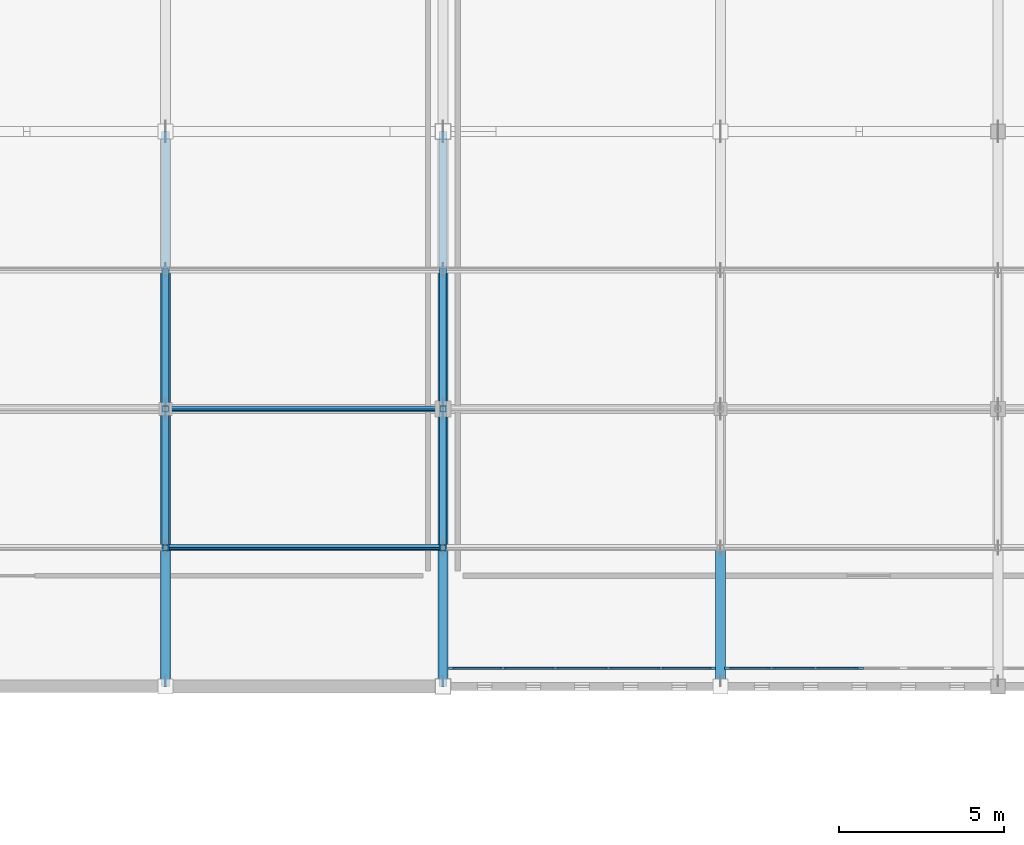
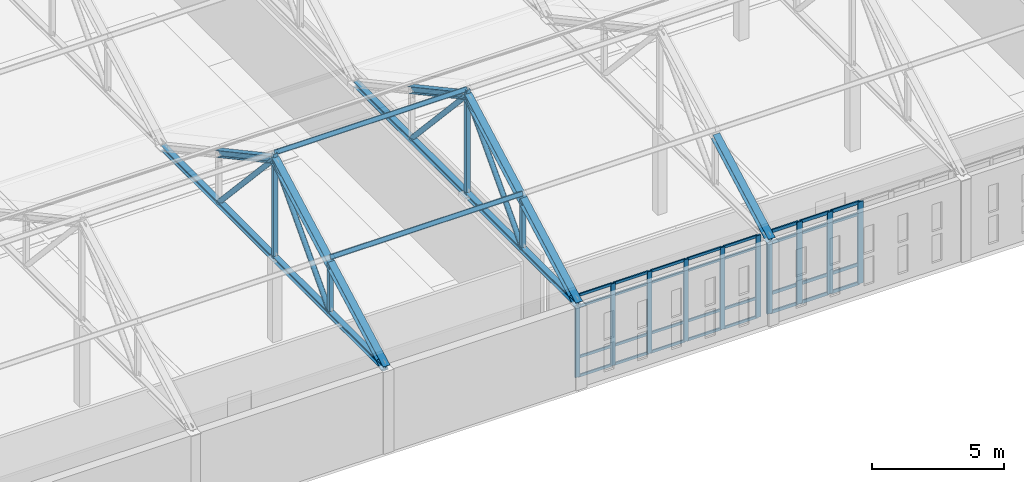
# One storey, part 31 of 110: 61 members, 2 elements without a shape of their own.
"""IFC4 building model written with IfcOpenShell, lengths in metres."""

from ifc_helpers import new_model, si_unit, direction, frame, origin, origin_2d, place, context, subcontext, project, spatial, rectangle, hollow_rectangle, hollow_circle, i_section, extrude, material, layer, layer_set, material_profile, profile_set, type_object, element, aggregate, save


model = new_model("IFC4")

# Units and contexts
model_context = context("Model", 3, precision=1e-05, world=origin(), true_north=direction((0.0, 1.0)))
body_context = subcontext(model_context, "Body", "Model", "MODEL_VIEW")
ifc_project = project(units=[si_unit("LENGTHUNIT", "METRE"), si_unit("AREAUNIT", "SQUARE_METRE"), si_unit("VOLUMEUNIT", "CUBIC_METRE"), si_unit("PLANEANGLEUNIT", "RADIAN"), si_unit("MASSUNIT", "GRAM", prefix="KILO")], contexts=[model_context])

# Site, building, storey
site_placement = place(None, origin())
site = spatial("IfcSite", under=ifc_project, at=site_placement, CompositionType="ELEMENT")
building_placement = place(site_placement, origin())
building = spatial("IfcBuilding", under=site, at=building_placement, Name="Kveldsbrygga Polytechnic", CompositionType="ELEMENT")
storey_placement = place(building_placement, frame((0.0, 0.0, 9.860107421875)))
storey = spatial("IfcBuildingStorey", under=building, at=storey_placement, Name="L02", CompositionType="ELEMENT", Elevation=9.860107421875)

# Curtain wall, members
ifc_material_1 = material(Name="Anodised aluminium AW-6060", Category="aluminium")
ifc_layer_1 = layer(ifc_material_1, 0.18994140625)
ifc_layer_set_1 = layer_set([ifc_layer_1], Name="Anodised aluminium AW-6060")
curtain_wall_type_1 = type_object("IfcCurtainWallType", Name="CW-REFC-G", PredefinedType="USERDEFINED", material=ifc_layer_set_1)
curtain_wall_1_placement = place(storey_placement, origin())
curtain_wall_1 = element("IfcCurtainWall", 1, at=curtain_wall_1_placement, inside=storey, type_object=curtain_wall_type_1, Name="Curtain Wall CW-L02-X-09-10", ObjectType="UNITISED CURTAIN WALL", PredefinedType="USERDEFINED")
ifc_material_profile_1 = material_profile(ifc_material_1, rectangle(XDim=0.074951171875, YDim=0.199951171875, at=origin_2d()), Name="ALU 75x200")
ifc_profile_set_1 = profile_set([ifc_material_profile_1], Name="Anodised aluminium AW-6060")
member_type_1 = type_object("IfcMemberType", Name="CW-MUL-200", PredefinedType="MULLION", material=ifc_profile_set_1)
member_1_placement = place(storey_placement, frame((75.862548828125, 84.550048828125, 0.0), z_axis=(0.0, 0.0, 1.0), x_axis=(0.0, 1.0, 0.0)))
member_1 = element("IfcMember", 2, at=member_1_placement, type_object=member_type_1, Name="CW-07 mullion 1", PredefinedType="MULLION", context=body_context, shape_type="SweptSolid", body=[
    extrude(rectangle(XDim=0.074951171875, YDim=0.199951171875, at=origin_2d()), origin(), (0.0, 0.0, 1.0), 3.77978515625),
])
member_2_placement = place(storey_placement, frame((77.41796875, 84.550048828125, 0.0), z_axis=(0.0, 0.0, 1.0), x_axis=(0.0, 1.0, 0.0)))
member_2 = element("IfcMember", 3, at=member_2_placement, type_object=member_type_1, Name="CW-07 mullion 2", PredefinedType="MULLION", context=body_context, shape_type="SweptSolid", body=[
    extrude(rectangle(XDim=0.074951171875, YDim=0.199951171875, at=origin_2d()), origin(), (0.0, 0.0, 1.0), 3.77978515625),
])
member_3_placement = place(storey_placement, frame((79.010986328125, 84.550048828125, 0.0), z_axis=(0.0, 0.0, 1.0), x_axis=(0.0, 1.0, 0.0)))
member_3 = element("IfcMember", 4, at=member_3_placement, type_object=member_type_1, Name="CW-07 mullion 3", PredefinedType="MULLION", context=body_context, shape_type="SweptSolid", body=[
    extrude(rectangle(XDim=0.074951171875, YDim=0.199951171875, at=origin_2d()), origin(), (0.0, 0.0, 1.0), 3.77978515625),
])
member_4_placement = place(storey_placement, frame((80.60400390625, 84.550048828125, 0.0), z_axis=(0.0, 0.0, 1.0), x_axis=(0.0, 1.0, 0.0)))
member_4 = element("IfcMember", 5, at=member_4_placement, type_object=member_type_1, Name="CW-07 mullion 4", PredefinedType="MULLION", context=body_context, shape_type="SweptSolid", body=[
    extrude(rectangle(XDim=0.074951171875, YDim=0.199951171875, at=origin_2d()), origin(), (0.0, 0.0, 1.0), 3.77978515625),
])
member_5_placement = place(storey_placement, frame((82.197021484375, 84.550048828125, 0.0), z_axis=(0.0, 0.0, 1.0), x_axis=(0.0, 1.0, 0.0)))
member_5 = element("IfcMember", 6, at=member_5_placement, type_object=member_type_1, Name="CW-07 mullion 5", PredefinedType="MULLION", context=body_context, shape_type="SweptSolid", body=[
    extrude(rectangle(XDim=0.074951171875, YDim=0.199951171875, at=origin_2d()), origin(), (0.0, 0.0, 1.0), 3.77978515625),
])
member_6_placement = place(storey_placement, frame((83.75244140625, 84.550048828125, 0.0), z_axis=(0.0, 0.0, 1.0), x_axis=(0.0, 1.0, 0.0)))
member_6 = element("IfcMember", 7, at=member_6_placement, type_object=member_type_1, Name="CW-07 mullion 6", PredefinedType="MULLION", context=body_context, shape_type="SweptSolid", body=[
    extrude(rectangle(XDim=0.074951171875, YDim=0.199951171875, at=origin_2d()), origin(), (0.0, 0.0, 1.0), 3.77978515625),
])

ifc_layer_2 = layer(ifc_material_1, 0.2099609375)
ifc_layer_set_2 = layer_set([ifc_layer_2], Name="Anodised aluminium AW-6060")
curtain_wall_type_2 = type_object("IfcCurtainWallType", Name="CW-LIBR-H", PredefinedType="USERDEFINED", material=ifc_layer_set_2)
curtain_wall_2_placement = place(storey_placement, origin())
curtain_wall_2 = element("IfcCurtainWall", 8, at=curtain_wall_2_placement, inside=storey, type_object=curtain_wall_type_2, Name="Curtain Wall CW-L02-X-10-10", ObjectType="UNITISED CURTAIN WALL", PredefinedType="USERDEFINED")
ifc_material_profile_2 = material_profile(ifc_material_1, rectangle(XDim=0.074951171875, YDim=0.239990234375, at=origin_2d()), Name="ALU 75x240")
ifc_profile_set_2 = profile_set([ifc_material_profile_2], Name="Anodised aluminium AW-6060")
member_type_2 = type_object("IfcMemberType", Name="CW-MUL-240", PredefinedType="MULLION", material=ifc_profile_set_2)
member_7_placement = place(storey_placement, frame((84.24755859375, 84.550048828125, 0.0), z_axis=(0.0, 0.0, 1.0), x_axis=(0.0, 1.0, 0.0)))
member_7 = element("IfcMember", 9, at=member_7_placement, type_object=member_type_2, Name="CW-08 mullion 1", PredefinedType="MULLION", context=body_context, shape_type="SweptSolid", body=[
    extrude(rectangle(XDim=0.074951171875, YDim=0.239990234375, at=origin_2d()), origin(), (0.0, 0.0, 1.0), 3.77978515625),
])
member_8_placement = place(storey_placement, frame((85.54248046875, 84.550048828125, 0.0), z_axis=(0.0, 0.0, 1.0), x_axis=(0.0, 1.0, 0.0)))
member_8 = element("IfcMember", 10, at=member_8_placement, type_object=member_type_2, Name="CW-08 mullion 2", PredefinedType="MULLION", context=body_context, shape_type="SweptSolid", body=[
    extrude(rectangle(XDim=0.074951171875, YDim=0.239990234375, at=origin_2d()), origin(), (0.0, 0.0, 1.0), 3.77978515625),
])
member_9_placement = place(storey_placement, frame((86.875, 84.550048828125, 0.0), z_axis=(0.0, 0.0, 1.0), x_axis=(0.0, 1.0, 0.0)))
member_9 = element("IfcMember", 11, at=member_9_placement, type_object=member_type_2, Name="CW-08 mullion 3", PredefinedType="MULLION", context=body_context, shape_type="SweptSolid", body=[
    extrude(rectangle(XDim=0.074951171875, YDim=0.239990234375, at=origin_2d()), origin(), (0.0, 0.0, 1.0), 3.77978515625),
])
member_10_placement = place(storey_placement, frame((88.20751953125, 84.550048828125, 0.0), z_axis=(0.0, 0.0, 1.0), x_axis=(0.0, 1.0, 0.0)))
member_10 = element("IfcMember", 12, at=member_10_placement, type_object=member_type_2, Name="CW-08 mullion 4", PredefinedType="MULLION", context=body_context, shape_type="SweptSolid", body=[
    extrude(rectangle(XDim=0.074951171875, YDim=0.239990234375, at=origin_2d()), origin(), (0.0, 0.0, 1.0), 3.77978515625),
])

# Member
ifc_material_profile_3 = material_profile(ifc_material_1, rectangle(XDim=0.06005859375, YDim=0.1201171875, at=origin_2d()), Name="ALU 60x120")
ifc_profile_set_3 = profile_set([ifc_material_profile_3], Name="Anodised aluminium AW-6060")
member_type_3 = type_object("IfcMemberType", Name="CW-TRN-120", PredefinedType="USERDEFINED", material=ifc_profile_set_3)
member_11_placement = place(storey_placement, frame((75.89990234375, 84.550048828125, 0.02978515625), z_axis=(1.0, 0.0, 0.0), x_axis=(0.0, 1.0, 0.0)))
member_11 = element("IfcMember", 13, at=member_11_placement, type_object=member_type_3, Name="CW-07 transom 1.1", ObjectType="TRANSOM", PredefinedType="USERDEFINED", context=body_context, shape_type="SweptSolid", body=[
    extrude(rectangle(XDim=0.06005859375, YDim=0.1201171875, at=origin_2d()), origin(), (0.0, 0.0, 1.0), 1.480712890625),
])

member_12_placement = place(storey_placement, frame((75.89990234375, 84.550048828125, 0.89990234375), z_axis=(1.0, 0.0, 0.0), x_axis=(0.0, 1.0, 0.0)))
member_12 = element("IfcMember", 14, at=member_12_placement, type_object=member_type_3, Name="CW-07 transom 1.2", ObjectType="TRANSOM", PredefinedType="USERDEFINED", context=body_context, shape_type="SweptSolid", body=[
    extrude(rectangle(XDim=0.06005859375, YDim=0.1201171875, at=origin_2d()), origin(), (0.0, 0.0, 1.0), 1.480712890625),
])

member_13_placement = place(storey_placement, frame((75.89990234375, 84.550048828125, 3.22998046875), z_axis=(1.0, 0.0, 0.0), x_axis=(0.0, 1.0, 0.0)))
member_13 = element("IfcMember", 15, at=member_13_placement, type_object=member_type_3, Name="CW-07 transom 1.3", ObjectType="TRANSOM", PredefinedType="USERDEFINED", context=body_context, shape_type="SweptSolid", body=[
    extrude(rectangle(XDim=0.06005859375, YDim=0.1201171875, at=origin_2d()), origin(), (0.0, 0.0, 1.0), 1.480712890625),
])

member_14_placement = place(storey_placement, frame((75.89990234375, 84.550048828125, 3.75), z_axis=(1.0, 0.0, 0.0), x_axis=(0.0, 1.0, 0.0)))
member_14 = element("IfcMember", 16, at=member_14_placement, type_object=member_type_3, Name="CW-07 transom 1.4", ObjectType="TRANSOM", PredefinedType="USERDEFINED", context=body_context, shape_type="SweptSolid", body=[
    extrude(rectangle(XDim=0.06005859375, YDim=0.1201171875, at=origin_2d()), origin(), (0.0, 0.0, 1.0), 1.480712890625),
])

member_15_placement = place(storey_placement, frame((77.45556640625, 84.550048828125, 0.02978515625), z_axis=(1.0, 0.0, 0.0), x_axis=(0.0, 1.0, 0.0)))
member_15 = element("IfcMember", 17, at=member_15_placement, type_object=member_type_3, Name="CW-07 transom 2.1", ObjectType="TRANSOM", PredefinedType="USERDEFINED", context=body_context, shape_type="SweptSolid", body=[
    extrude(rectangle(XDim=0.06005859375, YDim=0.1201171875, at=origin_2d()), origin(), (0.0, 0.0, 1.0), 1.517822265625),
])

member_16_placement = place(storey_placement, frame((77.45556640625, 84.550048828125, 0.89990234375), z_axis=(1.0, 0.0, 0.0), x_axis=(0.0, 1.0, 0.0)))
member_16 = element("IfcMember", 18, at=member_16_placement, type_object=member_type_3, Name="CW-07 transom 2.2", ObjectType="TRANSOM", PredefinedType="USERDEFINED", context=body_context, shape_type="SweptSolid", body=[
    extrude(rectangle(XDim=0.06005859375, YDim=0.1201171875, at=origin_2d()), origin(), (0.0, 0.0, 1.0), 1.517822265625),
])

member_17_placement = place(storey_placement, frame((77.45556640625, 84.550048828125, 3.22998046875), z_axis=(1.0, 0.0, 0.0), x_axis=(0.0, 1.0, 0.0)))
member_17 = element("IfcMember", 19, at=member_17_placement, type_object=member_type_3, Name="CW-07 transom 2.3", ObjectType="TRANSOM", PredefinedType="USERDEFINED", context=body_context, shape_type="SweptSolid", body=[
    extrude(rectangle(XDim=0.06005859375, YDim=0.1201171875, at=origin_2d()), origin(), (0.0, 0.0, 1.0), 1.517822265625),
])

member_18_placement = place(storey_placement, frame((77.45556640625, 84.550048828125, 3.75), z_axis=(1.0, 0.0, 0.0), x_axis=(0.0, 1.0, 0.0)))
member_18 = element("IfcMember", 20, at=member_18_placement, type_object=member_type_3, Name="CW-07 transom 2.4", ObjectType="TRANSOM", PredefinedType="USERDEFINED", context=body_context, shape_type="SweptSolid", body=[
    extrude(rectangle(XDim=0.06005859375, YDim=0.1201171875, at=origin_2d()), origin(), (0.0, 0.0, 1.0), 1.517822265625),
])

member_19_placement = place(storey_placement, frame((79.048583984375, 84.550048828125, 0.02978515625), z_axis=(1.0, 0.0, 0.0), x_axis=(0.0, 1.0, 0.0)))
member_19 = element("IfcMember", 21, at=member_19_placement, type_object=member_type_3, Name="CW-07 transom 3.1", ObjectType="TRANSOM", PredefinedType="USERDEFINED", context=body_context, shape_type="SweptSolid", body=[
    extrude(rectangle(XDim=0.06005859375, YDim=0.1201171875, at=origin_2d()), origin(), (0.0, 0.0, 1.0), 1.517822265625),
])

member_20_placement = place(storey_placement, frame((79.048583984375, 84.550048828125, 0.89990234375), z_axis=(1.0, 0.0, 0.0), x_axis=(0.0, 1.0, 0.0)))
member_20 = element("IfcMember", 22, at=member_20_placement, type_object=member_type_3, Name="CW-07 transom 3.2", ObjectType="TRANSOM", PredefinedType="USERDEFINED", context=body_context, shape_type="SweptSolid", body=[
    extrude(rectangle(XDim=0.06005859375, YDim=0.1201171875, at=origin_2d()), origin(), (0.0, 0.0, 1.0), 1.517822265625),
])

member_21_placement = place(storey_placement, frame((79.048583984375, 84.550048828125, 3.22998046875), z_axis=(1.0, 0.0, 0.0), x_axis=(0.0, 1.0, 0.0)))
member_21 = element("IfcMember", 23, at=member_21_placement, type_object=member_type_3, Name="CW-07 transom 3.3", ObjectType="TRANSOM", PredefinedType="USERDEFINED", context=body_context, shape_type="SweptSolid", body=[
    extrude(rectangle(XDim=0.06005859375, YDim=0.1201171875, at=origin_2d()), origin(), (0.0, 0.0, 1.0), 1.517822265625),
])

member_22_placement = place(storey_placement, frame((79.048583984375, 84.550048828125, 3.75), z_axis=(1.0, 0.0, 0.0), x_axis=(0.0, 1.0, 0.0)))
member_22 = element("IfcMember", 24, at=member_22_placement, type_object=member_type_3, Name="CW-07 transom 3.4", ObjectType="TRANSOM", PredefinedType="USERDEFINED", context=body_context, shape_type="SweptSolid", body=[
    extrude(rectangle(XDim=0.06005859375, YDim=0.1201171875, at=origin_2d()), origin(), (0.0, 0.0, 1.0), 1.517822265625),
])

member_23_placement = place(storey_placement, frame((80.6416015625, 84.550048828125, 0.02978515625), z_axis=(1.0, 0.0, 0.0), x_axis=(0.0, 1.0, 0.0)))
member_23 = element("IfcMember", 25, at=member_23_placement, type_object=member_type_3, Name="CW-07 transom 4.1", ObjectType="TRANSOM", PredefinedType="USERDEFINED", context=body_context, shape_type="SweptSolid", body=[
    extrude(rectangle(XDim=0.06005859375, YDim=0.1201171875, at=origin_2d()), origin(), (0.0, 0.0, 1.0), 1.517822265625),
])

member_24_placement = place(storey_placement, frame((80.6416015625, 84.550048828125, 0.89990234375), z_axis=(1.0, 0.0, 0.0), x_axis=(0.0, 1.0, 0.0)))
member_24 = element("IfcMember", 26, at=member_24_placement, type_object=member_type_3, Name="CW-07 transom 4.2", ObjectType="TRANSOM", PredefinedType="USERDEFINED", context=body_context, shape_type="SweptSolid", body=[
    extrude(rectangle(XDim=0.06005859375, YDim=0.1201171875, at=origin_2d()), origin(), (0.0, 0.0, 1.0), 1.517822265625),
])

member_25_placement = place(storey_placement, frame((80.6416015625, 84.550048828125, 3.22998046875), z_axis=(1.0, 0.0, 0.0), x_axis=(0.0, 1.0, 0.0)))
member_25 = element("IfcMember", 27, at=member_25_placement, type_object=member_type_3, Name="CW-07 transom 4.3", ObjectType="TRANSOM", PredefinedType="USERDEFINED", context=body_context, shape_type="SweptSolid", body=[
    extrude(rectangle(XDim=0.06005859375, YDim=0.1201171875, at=origin_2d()), origin(), (0.0, 0.0, 1.0), 1.517822265625),
])

member_26_placement = place(storey_placement, frame((80.6416015625, 84.550048828125, 3.75), z_axis=(1.0, 0.0, 0.0), x_axis=(0.0, 1.0, 0.0)))
member_26 = element("IfcMember", 28, at=member_26_placement, type_object=member_type_3, Name="CW-07 transom 4.4", ObjectType="TRANSOM", PredefinedType="USERDEFINED", context=body_context, shape_type="SweptSolid", body=[
    extrude(rectangle(XDim=0.06005859375, YDim=0.1201171875, at=origin_2d()), origin(), (0.0, 0.0, 1.0), 1.517822265625),
])

member_27_placement = place(storey_placement, frame((82.234619140625, 84.550048828125, 0.02978515625), z_axis=(1.0, 0.0, 0.0), x_axis=(0.0, 1.0, 0.0)))
member_27 = element("IfcMember", 29, at=member_27_placement, type_object=member_type_3, Name="CW-07 transom 5.1", ObjectType="TRANSOM", PredefinedType="USERDEFINED", context=body_context, shape_type="SweptSolid", body=[
    extrude(rectangle(XDim=0.06005859375, YDim=0.1201171875, at=origin_2d()), origin(), (0.0, 0.0, 1.0), 1.48046875),
])

member_28_placement = place(storey_placement, frame((82.234619140625, 84.550048828125, 0.89990234375), z_axis=(1.0, 0.0, 0.0), x_axis=(0.0, 1.0, 0.0)))
member_28 = element("IfcMember", 30, at=member_28_placement, type_object=member_type_3, Name="CW-07 transom 5.2", ObjectType="TRANSOM", PredefinedType="USERDEFINED", context=body_context, shape_type="SweptSolid", body=[
    extrude(rectangle(XDim=0.06005859375, YDim=0.1201171875, at=origin_2d()), origin(), (0.0, 0.0, 1.0), 1.48046875),
])

member_29_placement = place(storey_placement, frame((82.234619140625, 84.550048828125, 3.22998046875), z_axis=(1.0, 0.0, 0.0), x_axis=(0.0, 1.0, 0.0)))
member_29 = element("IfcMember", 31, at=member_29_placement, type_object=member_type_3, Name="CW-07 transom 5.3", ObjectType="TRANSOM", PredefinedType="USERDEFINED", context=body_context, shape_type="SweptSolid", body=[
    extrude(rectangle(XDim=0.06005859375, YDim=0.1201171875, at=origin_2d()), origin(), (0.0, 0.0, 1.0), 1.48046875),
])

member_30_placement = place(storey_placement, frame((82.234619140625, 84.550048828125, 3.75), z_axis=(1.0, 0.0, 0.0), x_axis=(0.0, 1.0, 0.0)))
member_30 = element("IfcMember", 32, at=member_30_placement, type_object=member_type_3, Name="CW-07 transom 5.4", ObjectType="TRANSOM", PredefinedType="USERDEFINED", context=body_context, shape_type="SweptSolid", body=[
    extrude(rectangle(XDim=0.06005859375, YDim=0.1201171875, at=origin_2d()), origin(), (0.0, 0.0, 1.0), 1.48046875),
])

aggregate(curtain_wall_1, [member_1, member_2, member_3, member_4, member_5, member_6, member_11, member_12, member_13, member_14, member_15, member_16, member_17, member_18, member_19, member_20, member_21, member_22, member_23, member_24, member_25, member_26, member_27, member_28, member_29, member_30])

ifc_material_profile_4 = material_profile(ifc_material_1, rectangle(XDim=0.06005859375, YDim=0.14990234375, at=origin_2d()), Name="ALU 60x150")
ifc_profile_set_4 = profile_set([ifc_material_profile_4], Name="Anodised aluminium AW-6060")
member_type_4 = type_object("IfcMemberType", Name="CW-TRN-150", PredefinedType="USERDEFINED", material=ifc_profile_set_4)
member_31_placement = place(storey_placement, frame((84.284912109375, 84.550048828125, 0.02978515625), z_axis=(1.0, 0.0, 0.0), x_axis=(0.0, 1.0, 0.0)))
member_31 = element("IfcMember", 33, at=member_31_placement, type_object=member_type_4, Name="CW-08 transom 1.1", ObjectType="TRANSOM", PredefinedType="USERDEFINED", context=body_context, shape_type="SweptSolid", body=[
    extrude(rectangle(XDim=0.06005859375, YDim=0.14990234375, at=origin_2d()), origin(), (0.0, 0.0, 1.0), 1.219970703125),
])

member_32_placement = place(storey_placement, frame((84.284912109375, 84.550048828125, 0.89990234375), z_axis=(1.0, 0.0, 0.0), x_axis=(0.0, 1.0, 0.0)))
member_32 = element("IfcMember", 34, at=member_32_placement, type_object=member_type_4, Name="CW-08 transom 1.2", ObjectType="TRANSOM", PredefinedType="USERDEFINED", context=body_context, shape_type="SweptSolid", body=[
    extrude(rectangle(XDim=0.06005859375, YDim=0.14990234375, at=origin_2d()), origin(), (0.0, 0.0, 1.0), 1.219970703125),
])

member_33_placement = place(storey_placement, frame((84.284912109375, 84.550048828125, 3.22998046875), z_axis=(1.0, 0.0, 0.0), x_axis=(0.0, 1.0, 0.0)))
member_33 = element("IfcMember", 35, at=member_33_placement, type_object=member_type_4, Name="CW-08 transom 1.3", ObjectType="TRANSOM", PredefinedType="USERDEFINED", context=body_context, shape_type="SweptSolid", body=[
    extrude(rectangle(XDim=0.06005859375, YDim=0.14990234375, at=origin_2d()), origin(), (0.0, 0.0, 1.0), 1.219970703125),
])

member_34_placement = place(storey_placement, frame((84.284912109375, 84.550048828125, 3.75), z_axis=(1.0, 0.0, 0.0), x_axis=(0.0, 1.0, 0.0)))
member_34 = element("IfcMember", 36, at=member_34_placement, type_object=member_type_4, Name="CW-08 transom 1.4", ObjectType="TRANSOM", PredefinedType="USERDEFINED", context=body_context, shape_type="SweptSolid", body=[
    extrude(rectangle(XDim=0.06005859375, YDim=0.14990234375, at=origin_2d()), origin(), (0.0, 0.0, 1.0), 1.219970703125),
])

member_35_placement = place(storey_placement, frame((85.580078125, 84.550048828125, 0.02978515625), z_axis=(1.0, 0.0, 0.0), x_axis=(0.0, 1.0, 0.0)))
member_35 = element("IfcMember", 37, at=member_35_placement, type_object=member_type_4, Name="CW-08 transom 2.1", ObjectType="TRANSOM", PredefinedType="USERDEFINED", context=body_context, shape_type="SweptSolid", body=[
    extrude(rectangle(XDim=0.06005859375, YDim=0.14990234375, at=origin_2d()), origin(), (0.0, 0.0, 1.0), 1.25732421875),
])

member_36_placement = place(storey_placement, frame((85.580078125, 84.550048828125, 0.89990234375), z_axis=(1.0, 0.0, 0.0), x_axis=(0.0, 1.0, 0.0)))
member_36 = element("IfcMember", 38, at=member_36_placement, type_object=member_type_4, Name="CW-08 transom 2.2", ObjectType="TRANSOM", PredefinedType="USERDEFINED", context=body_context, shape_type="SweptSolid", body=[
    extrude(rectangle(XDim=0.06005859375, YDim=0.14990234375, at=origin_2d()), origin(), (0.0, 0.0, 1.0), 1.25732421875),
])

member_37_placement = place(storey_placement, frame((85.580078125, 84.550048828125, 3.22998046875), z_axis=(1.0, 0.0, 0.0), x_axis=(0.0, 1.0, 0.0)))
member_37 = element("IfcMember", 39, at=member_37_placement, type_object=member_type_4, Name="CW-08 transom 2.3", ObjectType="TRANSOM", PredefinedType="USERDEFINED", context=body_context, shape_type="SweptSolid", body=[
    extrude(rectangle(XDim=0.06005859375, YDim=0.14990234375, at=origin_2d()), origin(), (0.0, 0.0, 1.0), 1.25732421875),
])

member_38_placement = place(storey_placement, frame((85.580078125, 84.550048828125, 3.75), z_axis=(1.0, 0.0, 0.0), x_axis=(0.0, 1.0, 0.0)))
member_38 = element("IfcMember", 40, at=member_38_placement, type_object=member_type_4, Name="CW-08 transom 2.4", ObjectType="TRANSOM", PredefinedType="USERDEFINED", context=body_context, shape_type="SweptSolid", body=[
    extrude(rectangle(XDim=0.06005859375, YDim=0.14990234375, at=origin_2d()), origin(), (0.0, 0.0, 1.0), 1.25732421875),
])

member_39_placement = place(storey_placement, frame((86.91259765625, 84.550048828125, 0.02978515625), z_axis=(1.0, 0.0, 0.0), x_axis=(0.0, 1.0, 0.0)))
member_39 = element("IfcMember", 41, at=member_39_placement, type_object=member_type_4, Name="CW-08 transom 3.1", ObjectType="TRANSOM", PredefinedType="USERDEFINED", context=body_context, shape_type="SweptSolid", body=[
    extrude(rectangle(XDim=0.06005859375, YDim=0.14990234375, at=origin_2d()), origin(), (0.0, 0.0, 1.0), 1.25732421875),
])

member_40_placement = place(storey_placement, frame((86.91259765625, 84.550048828125, 0.89990234375), z_axis=(1.0, 0.0, 0.0), x_axis=(0.0, 1.0, 0.0)))
member_40 = element("IfcMember", 42, at=member_40_placement, type_object=member_type_4, Name="CW-08 transom 3.2", ObjectType="TRANSOM", PredefinedType="USERDEFINED", context=body_context, shape_type="SweptSolid", body=[
    extrude(rectangle(XDim=0.06005859375, YDim=0.14990234375, at=origin_2d()), origin(), (0.0, 0.0, 1.0), 1.25732421875),
])

member_41_placement = place(storey_placement, frame((86.91259765625, 84.550048828125, 3.22998046875), z_axis=(1.0, 0.0, 0.0), x_axis=(0.0, 1.0, 0.0)))
member_41 = element("IfcMember", 43, at=member_41_placement, type_object=member_type_4, Name="CW-08 transom 3.3", ObjectType="TRANSOM", PredefinedType="USERDEFINED", context=body_context, shape_type="SweptSolid", body=[
    extrude(rectangle(XDim=0.06005859375, YDim=0.14990234375, at=origin_2d()), origin(), (0.0, 0.0, 1.0), 1.25732421875),
])

member_42_placement = place(storey_placement, frame((86.91259765625, 84.550048828125, 3.75), z_axis=(1.0, 0.0, 0.0), x_axis=(0.0, 1.0, 0.0)))
member_42 = element("IfcMember", 44, at=member_42_placement, type_object=member_type_4, Name="CW-08 transom 3.4", ObjectType="TRANSOM", PredefinedType="USERDEFINED", context=body_context, shape_type="SweptSolid", body=[
    extrude(rectangle(XDim=0.06005859375, YDim=0.14990234375, at=origin_2d()), origin(), (0.0, 0.0, 1.0), 1.25732421875),
])

aggregate(curtain_wall_2, [member_7, member_8, member_9, member_10, member_31, member_32, member_33, member_34, member_35, member_36, member_37, member_38, member_39, member_40, member_41, member_42])

# Members
ifc_material_2 = material(Name="Steel S355", Category="steel")
ifc_material_profile_5 = material_profile(ifc_material_2, i_section(OverallWidth=0.10009765625, OverallDepth=0.199951171875, WebThickness=0.005615234375, FlangeThickness=0.008544921875, FilletRadius=0.011962890625, at=origin_2d()), Name="IPE 200")
ifc_profile_set_5 = profile_set([ifc_material_profile_5], Name="Steel S355")
member_type_5 = type_object("IfcMemberType", Name="PRL-IPE200", PredefinedType="PURLIN", material=ifc_profile_set_5)
for number, where, z_axis, x_axis, name in (
    (45, (67.199951171875, 88.199951171875, 6.33349609375), (1.0, 0.0, 0.0), (0.0, 0.879292204483, -0.476282709256), "Roof Purlin V2L1-PRL-4-1"),
    (46, (67.199951171875, 92.39990234375, 8.608642578125), (1.0, 0.0, 0.0), (0.0, 0.879292204483, -0.476282709256), "Roof Purlin V2L1-PRL-4-2"),
):
    element("IfcMember", number, at=place(storey_placement, frame(where, z_axis=z_axis, x_axis=x_axis)), inside=storey, type_object=member_type_5, Name=name, PredefinedType="PURLIN", context=body_context, shape_type="SweptSolid", body=[
        extrude(i_section(OverallWidth=0.10009765625, OverallDepth=0.199951171875, WebThickness=0.005615234375, FlangeThickness=0.008544921875, FilletRadius=0.011962890625, at=origin_2d()), origin(), (0.0, 0.0, 1.0), 8.400146484375),
    ])
ifc_material_profile_6 = material_profile(ifc_material_2, i_section(OverallWidth=0.239990234375, OverallDepth=0.22998046875, WebThickness=0.007568359375, FlangeThickness=0.011962890625, FilletRadius=0.02099609375, at=origin_2d()), Name="HEA 240")
ifc_profile_set_6 = profile_set([ifc_material_profile_6], Name="Steel S355")
member_type_6 = type_object("IfcMemberType", Name="TR-BOT-HEA240", PredefinedType="CHORD", material=ifc_profile_set_6)
for number, where, z_axis, x_axis, name in (
    (47, (67.199951171875, 84.0, 3.77978515625), (0.0, 1.0, 0.0), (-1.0, 0.0, 0.0), "Truss Bottom Chord V2L1-T04-BC-1"),
    (48, (75.60009765625, 84.0, 3.77978515625), (0.0, 1.0, 0.0), (-1.0, 0.0, 0.0), "Truss Bottom Chord V2L1-T05-BC-1"),
):
    element("IfcMember", number, at=place(storey_placement, frame(where, z_axis=z_axis, x_axis=x_axis)), inside=storey, type_object=member_type_6, Name=name, PredefinedType="CHORD", context=body_context, shape_type="SweptSolid", body=[
        extrude(i_section(OverallWidth=0.239990234375, OverallDepth=0.22998046875, WebThickness=0.007568359375, FlangeThickness=0.011962890625, FilletRadius=0.02099609375, at=origin_2d()), origin(), (0.0, 0.0, 1.0), 16.800048828125),
    ])
ifc_material_profile_7 = material_profile(ifc_material_2, hollow_circle(Radius=0.109619140625, WallThickness=0.012451171875, at=origin_2d()), Name="CHS 219.1x12.5")
ifc_profile_set_7 = profile_set([ifc_material_profile_7], Name="Steel S355")
member_type_7 = type_object("IfcMemberType", Name="TR-DIAG-CHS219", PredefinedType="BRACE", material=ifc_profile_set_7)
member_43_placement = place(storey_placement, frame((67.199951171875, 88.199951171875, 3.77978515625), z_axis=(0.0, 0.678271914864, 0.734811002576), x_axis=(-1.0, 0.0, 0.0)))
element("IfcMember", 49, at=member_43_placement, inside=storey, type_object=member_type_7, Name="Truss Diagonal V2L1-T04-DG-2", PredefinedType="BRACE", context=body_context, shape_type="SweptSolid", body=[
    extrude(hollow_circle(Radius=0.109619140625, WallThickness=0.012451171875, at=origin_2d()), origin(), (0.0, 0.0, 1.0), 6.192138671875),
])
member_44_placement = place(storey_placement, frame((67.199951171875, 92.39990234375, 8.329833984375), z_axis=(0.0, 0.678293202798, -0.734791352043), x_axis=(-1.0, 0.0, 0.0)))
element("IfcMember", 50, at=member_44_placement, inside=storey, type_object=member_type_7, Name="Truss Diagonal V2L1-T04-DG-3", PredefinedType="BRACE", context=body_context, shape_type="SweptSolid", body=[
    extrude(hollow_circle(Radius=0.109619140625, WallThickness=0.012451171875, at=origin_2d()), origin(), (0.0, 0.0, 1.0), 6.1923828125),
])
member_45_placement = place(storey_placement, frame((75.60009765625, 88.199951171875, 3.77978515625), z_axis=(0.0, 0.678271914864, 0.734811002576), x_axis=(-1.0, 0.0, 0.0)))
element("IfcMember", 51, at=member_45_placement, inside=storey, type_object=member_type_7, Name="Truss Diagonal V2L1-T05-DG-2", PredefinedType="BRACE", context=body_context, shape_type="SweptSolid", body=[
    extrude(hollow_circle(Radius=0.109619140625, WallThickness=0.012451171875, at=origin_2d()), origin(), (0.0, 0.0, 1.0), 6.192138671875),
])
member_46_placement = place(storey_placement, frame((75.60009765625, 92.39990234375, 8.329833984375), z_axis=(0.0, 0.678293202798, -0.734791352043), x_axis=(-1.0, 0.0, 0.0)))
element("IfcMember", 52, at=member_46_placement, inside=storey, type_object=member_type_7, Name="Truss Diagonal V2L1-T05-DG-3", PredefinedType="BRACE", context=body_context, shape_type="SweptSolid", body=[
    extrude(hollow_circle(Radius=0.109619140625, WallThickness=0.012451171875, at=origin_2d()), origin(), (0.0, 0.0, 1.0), 6.1923828125),
])
ifc_material_profile_8 = material_profile(ifc_material_2, hollow_rectangle(XDim=0.179931640625, YDim=0.179931640625, WallThickness=0.010009765625, at=origin_2d()), Name="SHS 180x180x10.0")
ifc_profile_set_8 = profile_set([ifc_material_profile_8], Name="Steel S355")
member_type_8 = type_object("IfcMemberType", Name="TR-POST-SHS180", PredefinedType="STRUT", material=ifc_profile_set_8)
member_47_placement = place(storey_placement, frame((67.199951171875, 88.199951171875, 3.77978515625), z_axis=(0.0, 0.0, 1.0), x_axis=(1.0, 0.0, 0.0)))
element("IfcMember", 53, at=member_47_placement, inside=storey, type_object=member_type_8, Name="Truss Vertical V2L1-T04-VT-1", PredefinedType="STRUT", context=body_context, shape_type="SweptSolid", body=[
    extrude(hollow_rectangle(XDim=0.179931640625, YDim=0.179931640625, WallThickness=0.010009765625, at=origin_2d()), origin(), (0.0, 0.0, 1.0), 2.275146484375),
])
member_48_placement = place(storey_placement, frame((67.199951171875, 92.39990234375, 3.77978515625), z_axis=(0.0, 0.0, 1.0), x_axis=(1.0, 0.0, 0.0)))
element("IfcMember", 54, at=member_48_placement, inside=storey, type_object=member_type_8, Name="Truss Vertical V2L1-T04-VT-2", PredefinedType="STRUT", context=body_context, shape_type="SweptSolid", body=[
    extrude(hollow_rectangle(XDim=0.179931640625, YDim=0.179931640625, WallThickness=0.010009765625, at=origin_2d()), origin(), (0.0, 0.0, 1.0), 4.828857421875),
])
member_49_placement = place(storey_placement, frame((75.60009765625, 88.199951171875, 3.77978515625), z_axis=(0.0, 0.0, 1.0), x_axis=(1.0, 0.0, 0.0)))
element("IfcMember", 55, at=member_49_placement, inside=storey, type_object=member_type_8, Name="Truss Vertical V2L1-T05-VT-1", PredefinedType="STRUT", context=body_context, shape_type="SweptSolid", body=[
    extrude(hollow_rectangle(XDim=0.179931640625, YDim=0.179931640625, WallThickness=0.010009765625, at=origin_2d()), origin(), (0.0, 0.0, 1.0), 2.275146484375),
])
member_50_placement = place(storey_placement, frame((75.60009765625, 92.39990234375, 3.77978515625), z_axis=(0.0, 0.0, 1.0), x_axis=(1.0, 0.0, 0.0)))
element("IfcMember", 56, at=member_50_placement, inside=storey, type_object=member_type_8, Name="Truss Vertical V2L1-T05-VT-2", PredefinedType="STRUT", context=body_context, shape_type="SweptSolid", body=[
    extrude(hollow_rectangle(XDim=0.179931640625, YDim=0.179931640625, WallThickness=0.010009765625, at=origin_2d()), origin(), (0.0, 0.0, 1.0), 4.828857421875),
])
ifc_material_profile_9 = material_profile(ifc_material_2, i_section(OverallWidth=0.300048828125, OverallDepth=0.2900390625, WebThickness=0.008544921875, FlangeThickness=0.013916015625, FilletRadius=0.027099609375, at=origin_2d()), Name="HEA 300")
ifc_profile_set_9 = profile_set([ifc_material_profile_9], Name="Steel S355")
member_type_9 = type_object("IfcMemberType", Name="TR-TOP-HEA300", PredefinedType="CHORD", material=ifc_profile_set_9)
member_51_placement = place(storey_placement, frame((67.199951171875, 84.0, 3.77978515625), z_axis=(0.0, 0.879276804059, 0.476311139744), x_axis=(-1.0, 0.0, 0.0)))
element("IfcMember", 57, at=member_51_placement, inside=storey, type_object=member_type_9, Name="Truss Top Chord V2L1-T04-TC-1", PredefinedType="CHORD", context=body_context, shape_type="SweptSolid", body=[
    extrude(i_section(OverallWidth=0.300048828125, OverallDepth=0.2900390625, WebThickness=0.008544921875, FlangeThickness=0.013916015625, FilletRadius=0.027099609375, at=origin_2d()), origin(), (0.0, 0.0, 1.0), 4.776611328125),
])
member_52_placement = place(storey_placement, frame((67.199951171875, 88.199951171875, 6.054931640625), z_axis=(0.0, 0.879298209803, 0.47627162233), x_axis=(-1.0, 0.0, 0.0)))
element("IfcMember", 58, at=member_52_placement, inside=storey, type_object=member_type_9, Name="Truss Top Chord V2L1-T04-TC-2", PredefinedType="CHORD", context=body_context, shape_type="SweptSolid", body=[
    extrude(i_section(OverallWidth=0.300048828125, OverallDepth=0.2900390625, WebThickness=0.008544921875, FlangeThickness=0.013916015625, FilletRadius=0.027099609375, at=origin_2d()), origin(), (0.0, 0.0, 1.0), 4.7763671875),
])
for number, where, z_axis, x_axis, name in (
    (59, (67.199951171875, 92.39990234375, 8.329833984375), (0.0, 0.879309803238, -0.476250217773), (-1.0, 0.0, 0.0), "Truss Top Chord V2L1-T04-TC-3"),
    (60, (75.60009765625, 84.0, 3.77978515625), (0.0, 0.879276804059, 0.476311139744), (-1.0, 0.0, 0.0), "Truss Top Chord V2L1-T05-TC-1"),
):
    element("IfcMember", number, at=place(storey_placement, frame(where, z_axis=z_axis, x_axis=x_axis)), inside=storey, type_object=member_type_9, Name=name, PredefinedType="CHORD", context=body_context, shape_type="SweptSolid", body=[
        extrude(i_section(OverallWidth=0.300048828125, OverallDepth=0.2900390625, WebThickness=0.008544921875, FlangeThickness=0.013916015625, FilletRadius=0.027099609375, at=origin_2d()), origin(), (0.0, 0.0, 1.0), 4.776611328125),
    ])
member_53_placement = place(storey_placement, frame((75.60009765625, 88.199951171875, 6.054931640625), z_axis=(0.0, 0.879298209803, 0.47627162233), x_axis=(-1.0, 0.0, 0.0)))
element("IfcMember", 61, at=member_53_placement, inside=storey, type_object=member_type_9, Name="Truss Top Chord V2L1-T05-TC-2", PredefinedType="CHORD", context=body_context, shape_type="SweptSolid", body=[
    extrude(i_section(OverallWidth=0.300048828125, OverallDepth=0.2900390625, WebThickness=0.008544921875, FlangeThickness=0.013916015625, FilletRadius=0.027099609375, at=origin_2d()), origin(), (0.0, 0.0, 1.0), 4.7763671875),
])
for number, where, z_axis, x_axis, name in (
    (62, (75.60009765625, 92.39990234375, 8.329833984375), (0.0, 0.879309803238, -0.476250217773), (-1.0, 0.0, 0.0), "Truss Top Chord V2L1-T05-TC-3"),
    (63, (84.0, 84.0, 3.77978515625), (0.0, 0.879276804059, 0.476311139744), (-1.0, 0.0, 0.0), "Truss Top Chord V2L1-T06-TC-1"),
):
    element("IfcMember", number, at=place(storey_placement, frame(where, z_axis=z_axis, x_axis=x_axis)), inside=storey, type_object=member_type_9, Name=name, PredefinedType="CHORD", context=body_context, shape_type="SweptSolid", body=[
        extrude(i_section(OverallWidth=0.300048828125, OverallDepth=0.2900390625, WebThickness=0.008544921875, FlangeThickness=0.013916015625, FilletRadius=0.027099609375, at=origin_2d()), origin(), (0.0, 0.0, 1.0), 4.776611328125),
    ])

save(model, "model.ifc")
